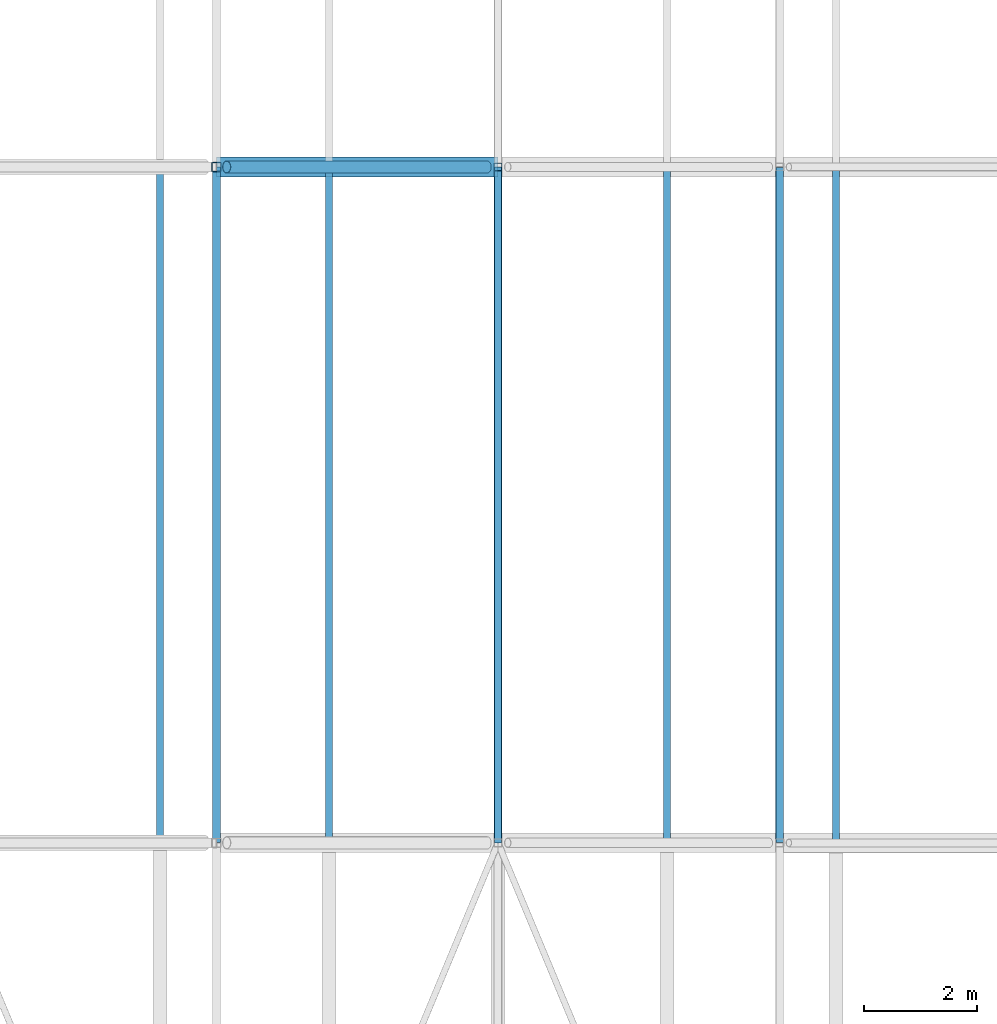
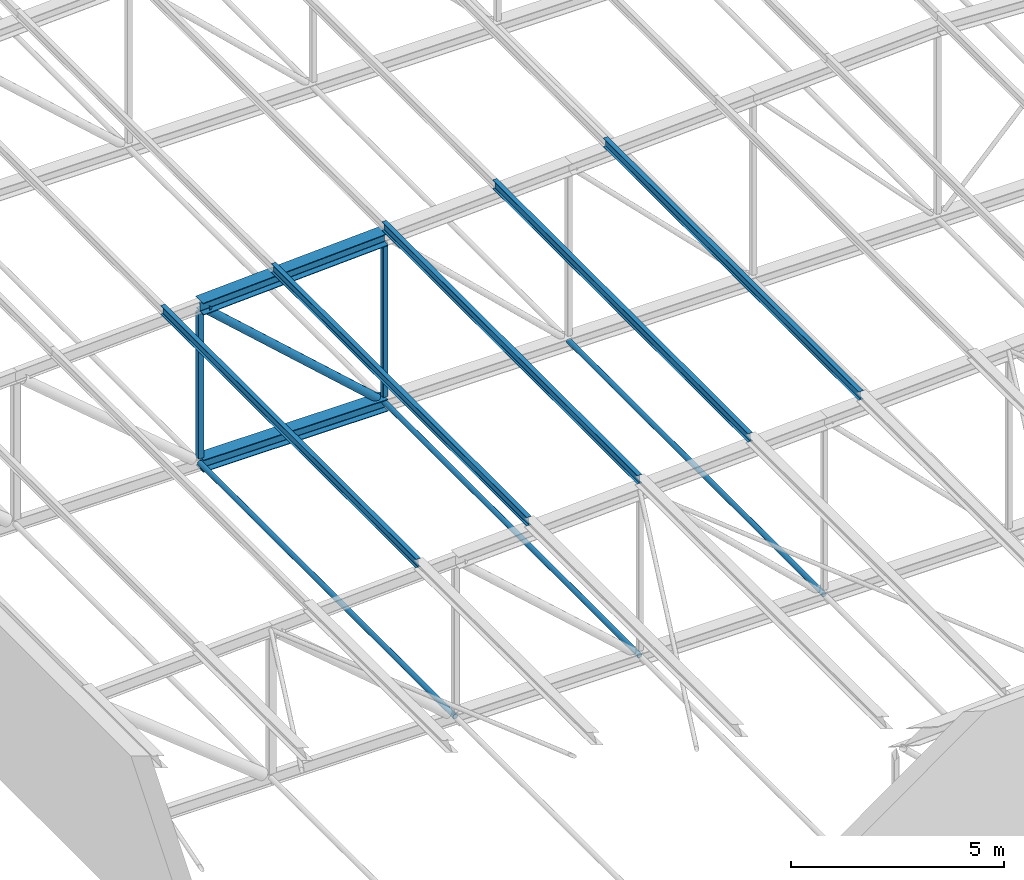
# One storey, part 19 of 156: 13 members.
"""IFC4 building model written with IfcOpenShell, lengths in metres."""

import ifcopenshell
import ifcopenshell.guid

model = None  # the IFC model being written
_history = None  # IfcOwnerHistory: only IFC2X3 demands one
_inside = {}  # id of a spatial element -> (the spatial element, [elements in it])
_under = {}  # id of a project, library or spatial element -> (it, [spatial elements below it])
_declared = {}  # id of a project -> (the project, [libraries it declares])
_typed = {}  # id of a type object -> (the type object, [elements of that type])
_made_of = {}  # id of a material, layer set ... -> (it, [elements and type objects made of it])


def new_model(schema):
    """Start an empty IFC model of exactly this schema.

    Asked for "IFC4X3", IfcOpenShell would pick the latest addendum, in which some entities
    have other attributes; the version numbers below select the first issue.
    IFC2X3 requires an IfcOwnerHistory on every rooted entity: one is made here for all.
    """
    global model, _history
    if schema == "IFC4X3":
        model = ifcopenshell.file(schema_version=(4, 3, 0, 0))
    else:
        model = ifcopenshell.file(schema=schema)
    _inside.clear()
    _under.clear()
    _declared.clear()
    _typed.clear()
    _made_of.clear()
    _history = None
    if model.schema == "IFC2X3":
        org = make("IfcOrganization", Name="unknown")
        user = make(
            "IfcPersonAndOrganization",
            ThePerson=make("IfcPerson", FamilyName="unknown"),
            TheOrganization=org,
        )
        app = make(
            "IfcApplication",
            ApplicationDeveloper=org,
            Version="unknown",
            ApplicationFullName="unknown",
            ApplicationIdentifier="unknown",
        )
        _history = make(
            "IfcOwnerHistory",
            OwningUser=user,
            OwningApplication=app,
            ChangeAction="ADDED",
            CreationDate=0,
        )
    return model


def make(cls, **values):
    """One entity of the class cls with the attributes given. An attribute that is None is left unset."""
    return model.create_entity(
        cls, **{name: value for name, value in values.items() if value is not None}
    )


def rooted(cls, **values):
    """An entity with a GlobalId (a new one), such as an element, a storey or a relation."""
    return make(cls, GlobalId=ifcopenshell.guid.new(), OwnerHistory=_history, **values)


def si_unit(unit_type, name, prefix=None):
    """IfcSIUnit, for example si_unit("LENGTHUNIT", "METRE", prefix="MILLI")."""
    return make("IfcSIUnit", UnitType=unit_type, Prefix=prefix, Name=name)


def assignment(units):
    """IfcUnitAssignment: the units of a project."""
    return None if units is None else make("IfcUnitAssignment", Units=units)


def point(xyz):
    """IfcCartesianPoint."""
    return None if xyz is None else make("IfcCartesianPoint", Coordinates=xyz)


def direction(xyz):
    """IfcDirection."""
    return None if xyz is None else make("IfcDirection", DirectionRatios=xyz)


def frame(location, z_axis=None, x_axis=None):
    """IfcAxis2Placement3D, a coordinate frame: its origin and axes. An axis left out is left unset."""
    return make(
        "IfcAxis2Placement3D",
        Location=point(location),
        Axis=direction(z_axis),
        RefDirection=direction(x_axis),
    )


def frame_2d(location, x_axis=None):
    """IfcAxis2Placement2D, a coordinate frame in the plane: its origin and x axis."""
    return make(
        "IfcAxis2Placement2D", Location=point(location), RefDirection=direction(x_axis)
    )


def origin():
    """The frame at (0, 0, 0) with its axes left unset."""
    return frame((0.0, 0.0, 0.0))


def origin_2d():
    """The frame at (0, 0) in the plane with its x axis left unset."""
    return frame_2d((0.0, 0.0))


def place(relative_to, where):
    """IfcLocalPlacement: puts the frame where relative to a parent placement (None: the world)."""
    return make(
        "IfcLocalPlacement", PlacementRelTo=relative_to, RelativePlacement=where
    )


def context(
    kind, dimensions, precision=None, world=None, true_north=None, identifier=None
):
    """IfcGeometricRepresentationContext, for example the 3D "Model" context."""
    return make(
        "IfcGeometricRepresentationContext",
        ContextIdentifier=identifier,
        ContextType=kind,
        CoordinateSpaceDimension=dimensions,
        Precision=precision,
        WorldCoordinateSystem=world,
        TrueNorth=true_north,
    )


def subcontext(parent, identifier, kind, view, scale=None):
    """IfcGeometricRepresentationSubContext, for example "Body" below "Model"."""
    return make(
        "IfcGeometricRepresentationSubContext",
        ContextIdentifier=identifier,
        ContextType=kind,
        ParentContext=parent,
        TargetScale=scale,
        TargetView=view,
    )


def project(units=None, contexts=None):
    """IfcProject with its units and contexts."""
    return rooted(
        "IfcProject",
        Name="project",
        RepresentationContexts=contexts,
        UnitsInContext=assignment(units),
    )


def spatial(cls, under=None, at=None, **own):
    """A site, building, storey or space (cls), placed at a placement, below another one or the project."""
    s = rooted(cls, ObjectPlacement=at, **own)
    if under is not None:
        _under.setdefault(under.id(), (under, []))[1].append(s)
    return s


def profile(cls, at=None, kind="AREA", **sizes):
    """A parametric profile (cls). Its sizes go by their IFC names, for example OverallWidth=200.0."""
    return make(cls, ProfileType=kind, Position=at, **sizes)


def hollow_rectangle(**sizes):
    """IfcRectangleHollowProfileDef."""
    return profile("IfcRectangleHollowProfileDef", **sizes)


def hollow_circle(**sizes):
    """IfcCircleHollowProfileDef."""
    return profile("IfcCircleHollowProfileDef", **sizes)


def i_section(**sizes):
    """IfcIShapeProfileDef."""
    return profile("IfcIShapeProfileDef", **sizes)


def extrude(swept, where, along, depth):
    """IfcExtrudedAreaSolid: the profile swept, set in the frame where, extruded along a direction by depth."""
    return make(
        "IfcExtrudedAreaSolid",
        SweptArea=swept,
        Position=where,
        ExtrudedDirection=direction(along),
        Depth=depth,
    )


def shape(context_of_items, identifier, shape_type, items):
    """IfcShapeRepresentation: the items that make up one representation, for example the "Body"."""
    return make(
        "IfcShapeRepresentation",
        ContextOfItems=context_of_items,
        RepresentationIdentifier=identifier,
        RepresentationType=shape_type,
        Items=items,
    )


def material(Name=None, Category=None):
    """IfcMaterial."""
    return make("IfcMaterial", Name=Name, Category=Category)


def material_profile(
    of_material, cross_section, Name=None, Category=None, Priority=None
):
    """IfcMaterialProfile: a cross section and its material."""
    return make(
        "IfcMaterialProfile",
        Name=Name,
        Material=of_material,
        Profile=cross_section,
        Priority=Priority,
        Category=Category,
    )


def profile_set(profiles, Name=None, composite=None):
    """IfcMaterialProfileSet."""
    return make(
        "IfcMaterialProfileSet",
        Name=Name,
        MaterialProfiles=profiles,
        CompositeProfile=composite,
    )


def made_of(thing, what):
    """Note that an element or type object is made of a material, layer set ...; save() writes the relation."""
    if what is not None:
        _made_of.setdefault(what.id(), (what, []))[1].append(thing)
    return thing


def type_object(cls, material=None, **own):
    """A type object (cls), such as IfcWallType, which elements share."""
    return made_of(rooted(cls, **own), material)


def element(
    cls,
    number,
    at=None,
    inside=None,
    cuts=None,
    type_object=None,
    material=None,
    context=None,
    identifier="Body",
    shape_type=None,
    held_by="IfcProductDefinitionShape",
    body=None,
    shapes=None,
    **own,
):
    """One element of the class cls, such as IfcWall. Its Tag is "e" and its number.

    at: its placement. inside: the storey or other place that contains it. cuts: it is an
    opening in that element (IfcRelVoidsElement). A single representation is given by context,
    identifier, shape_type and body (its items); several are given by shapes. held_by: the class
    of the entity that holds the representations. save() writes the other relations.
    """
    e = rooted(cls, Tag="e%d" % number, ObjectPlacement=at, **own)
    if body is not None:
        shapes = [shape(context, identifier, shape_type, body)]
    if shapes is not None:
        e.Representation = make(held_by, Representations=shapes)
    if inside is not None:
        _inside.setdefault(inside.id(), (inside, []))[1].append(e)
    if cuts is not None:
        rooted(
            "IfcRelVoidsElement", RelatingBuildingElement=cuts, RelatedOpeningElement=e
        )
    if type_object is not None:
        _typed.setdefault(type_object.id(), (type_object, []))[1].append(e)
    return made_of(e, material)


def aggregate(whole, parts):
    """IfcRelAggregates: a whole, such as a stair, and the parts it consists of."""
    return rooted("IfcRelAggregates", RelatingObject=whole, RelatedObjects=parts)


def save(model, path):
    """Write the relations noted so far, then the file.

    IfcRelAggregates (storeys below a building ...), IfcRelContainedInSpatialStructure (elements
    in a storey), IfcRelDefinesByType, IfcRelAssociatesMaterial and IfcRelDeclares: one each for
    every whole, place, type object, material and project.
    """
    for whole, parts in _under.values():
        aggregate(whole, parts)
    for where, things in _inside.values():
        rooted(
            "IfcRelContainedInSpatialStructure",
            RelatedElements=things,
            RelatingStructure=where,
        )
    for kind, things in _typed.values():
        rooted("IfcRelDefinesByType", RelatedObjects=things, RelatingType=kind)
    for what, things in _made_of.values():
        rooted("IfcRelAssociatesMaterial", RelatedObjects=things, RelatingMaterial=what)
    for by, libraries in _declared.values():
        rooted("IfcRelDeclares", RelatingContext=by, RelatedDefinitions=libraries)
    model.write(path)


model = new_model("IFC4")

# Units and contexts
model_context = context("Model", 3, precision=1e-05, world=origin(), true_north=direction((0.0, 1.0)))
body_context = subcontext(model_context, "Body", "Model", "MODEL_VIEW")
ifc_project = project(units=[si_unit("LENGTHUNIT", "METRE"), si_unit("AREAUNIT", "SQUARE_METRE"), si_unit("VOLUMEUNIT", "CUBIC_METRE"), si_unit("PLANEANGLEUNIT", "RADIAN"), si_unit("MASSUNIT", "GRAM", prefix="KILO")], contexts=[model_context])

# Site, building, storey
site_placement = place(None, origin())
site = spatial("IfcSite", under=ifc_project, at=site_placement, CompositionType="ELEMENT")
building_placement = place(site_placement, origin())
building = spatial("IfcBuilding", under=site, at=building_placement, Name="Lilac Gate Convention Centre", CompositionType="ELEMENT")
storey_placement = place(building_placement, frame((0.0, 0.0, 17.0)))
storey = spatial("IfcBuildingStorey", under=building, at=storey_placement, Name="L03", CompositionType="ELEMENT", Elevation=17.0)

# Members
ifc_material = material(Name="Steel Q355B", Category="steel")
ifc_material_profile_1 = material_profile(ifc_material, hollow_circle(Radius=0.06982421875, WallThickness=0.0048828125, at=origin_2d()), Name="CHS139.7x5")
ifc_profile_set_1 = profile_set([ifc_material_profile_1], Name="Steel Q355B")
member_type_1 = type_object("IfcMemberType", Name="Bottom chord tie CHS139.7x5", PredefinedType="STRUT", material=ifc_profile_set_1)
member_1_placement = place(storey_placement, frame((40.0, 42.00341796875, 0.0), z_axis=(0.0, 1.0, 0.0), x_axis=(-1.0, 0.0, 0.0)))
element("IfcMember", 1, at=member_1_placement, inside=storey, type_object=member_type_1, Name="ST1 tie bay 2 node 3", PredefinedType="STRUT", context=body_context, shape_type="SweptSolid", body=[
    extrude(hollow_circle(Radius=0.06982421875, WallThickness=0.0048828125, at=origin_2d()), origin(), (0.0, 0.0, 1.0), 11.9931640625),
])
for number, where, z_axis, x_axis, name in (
    (2, (45.0, 42.006103515625, 0.0), (0.0, 1.0, 0.0), (-1.0, 0.0, 0.0), "ST1 tie bay 2 node 4"),
    (3, (50.0, 42.006103515625, 0.0), (0.0, 1.0, 0.0), (-1.0, 0.0, 0.0), "ST1 tie bay 2 node 5"),
):
    element("IfcMember", number, at=place(storey_placement, frame(where, z_axis=z_axis, x_axis=x_axis)), inside=storey, type_object=member_type_1, Name=name, PredefinedType="STRUT", context=body_context, shape_type="SweptSolid", body=[
        extrude(hollow_circle(Radius=0.06982421875, WallThickness=0.0048828125, at=origin_2d()), origin(), (0.0, 0.0, 1.0), 11.98779296875),
    ])
ifc_material_profile_2 = material_profile(ifc_material, i_section(OverallWidth=0.125, OverallDepth=0.25, WebThickness=0.006103515625, FlangeThickness=0.009033203125, FilletRadius=0.008056640625, at=origin_2d()), Name="HN250x125x6x9")
ifc_profile_set_2 = profile_set([ifc_material_profile_2], Name="Steel Q355B")
member_type_2 = type_object("IfcMemberType", Name="Roof purlin HN250x125x6x9", PredefinedType="PURLIN", material=ifc_profile_set_2)
for number, where, z_axis, x_axis, name in (
    (4, (39.0, 42.0, 4.750244140625), (0.0, 1.0, 0.0), (-1.0, 0.0, 0.0), "PU2 purlin bay 2 line 4"),
    (5, (42.0, 42.0, 4.900146484375), (0.0, 1.0, 0.0), (-1.0, 0.0, 0.0), "PU2 purlin bay 2 line 5"),
    (6, (45.0, 42.0, 5.05029296875), (0.0, 1.0, 0.0), (-1.0, 0.0, 0.0), "PU2 purlin bay 2 line 6"),
    (7, (48.0, 42.0, 5.2001953125), (0.0, 1.0, 0.0), (-1.0, 0.0, 0.0), "PU2 purlin bay 2 line 7"),
    (8, (51.0, 42.0, 5.35009765625), (0.0, 1.0, 0.0), (-1.0, 0.0, 0.0), "PU2 purlin bay 2 line 8"),
):
    element("IfcMember", number, at=place(storey_placement, frame(where, z_axis=z_axis, x_axis=x_axis)), inside=storey, type_object=member_type_2, Name=name, PredefinedType="PURLIN", context=body_context, shape_type="SweptSolid", body=[
        extrude(i_section(OverallWidth=0.125, OverallDepth=0.25, WebThickness=0.006103515625, FlangeThickness=0.009033203125, FilletRadius=0.008056640625, at=origin_2d()), origin(), (0.0, 0.0, 1.0), 12.0),
    ])
ifc_material_profile_3 = material_profile(ifc_material, i_section(OverallWidth=0.35009765625, OverallDepth=0.35009765625, WebThickness=0.011962890625, FlangeThickness=0.01904296875, FilletRadius=0.012939453125, at=origin_2d()), Name="HW350x350x12x19")
ifc_profile_set_3 = profile_set([ifc_material_profile_3], Name="Steel Q355B")
member_type_3 = type_object("IfcMemberType", Name="Truss bottom chord HW350x350x12x19", PredefinedType="CHORD", material=ifc_profile_set_3)
member_2_placement = place(storey_placement, frame((40.0, 54.0, 0.0), z_axis=(1.0, 0.0, 0.0), x_axis=(0.0, 1.0, 0.0)))
element("IfcMember", 9, at=member_2_placement, inside=storey, type_object=member_type_3, Name="TB2 truss 3 bottom chord 3", PredefinedType="CHORD", context=body_context, shape_type="SweptSolid", body=[
    extrude(i_section(OverallWidth=0.35009765625, OverallDepth=0.35009765625, WebThickness=0.011962890625, FlangeThickness=0.01904296875, FilletRadius=0.012939453125, at=origin_2d()), origin(), (0.0, 0.0, 1.0), 5.0),
])
ifc_material_profile_4 = material_profile(ifc_material, hollow_circle(Radius=0.109619140625, WallThickness=0.008056640625, at=origin_2d()), Name="CHS219.1x8")
ifc_profile_set_4 = profile_set([ifc_material_profile_4], Name="Steel Q355B")
member_type_4 = type_object("IfcMemberType", Name="Truss diagonal CHS219.1x8", PredefinedType="BRACE", material=ifc_profile_set_4)
member_3_placement = place(storey_placement, frame((40.1826171875, 54.0, 4.335693359375), z_axis=(0.743301953498, 0.0, -0.668956056797), x_axis=(0.0, 1.0, 0.0)))
element("IfcMember", 10, at=member_3_placement, inside=storey, type_object=member_type_4, Name="TW3 truss 3 diagonal 3", PredefinedType="BRACE", context=body_context, shape_type="SweptSolid", body=[
    extrude(hollow_circle(Radius=0.109619140625, WallThickness=0.008056640625, at=origin_2d()), origin(), (0.0, 0.0, 1.0), 6.2197265625),
])
ifc_material_profile_5 = material_profile(ifc_material, i_section(OverallWidth=0.35009765625, OverallDepth=0.35009765625, WebThickness=0.011962890625, FlangeThickness=0.01904296875, FilletRadius=0.012939453125, at=origin_2d()), Name="HW350x350x12x19")
ifc_profile_set_5 = profile_set([ifc_material_profile_5], Name="Steel Q355B")
member_type_5 = type_object("IfcMemberType", Name="Truss top chord HW350x350x12x19", PredefinedType="CHORD", material=ifc_profile_set_5)
member_4_placement = place(storey_placement, frame((40.0, 54.0, 4.5), z_axis=(0.998752338878, 0.0, 0.049937616944), x_axis=(0.0, 1.0, 0.0)))
element("IfcMember", 11, at=member_4_placement, inside=storey, type_object=member_type_5, Name="TT2 truss 3 top chord 3", PredefinedType="CHORD", context=body_context, shape_type="SweptSolid", body=[
    extrude(i_section(OverallWidth=0.35009765625, OverallDepth=0.35009765625, WebThickness=0.011962890625, FlangeThickness=0.01904296875, FilletRadius=0.012939453125, at=origin_2d()), origin(), (0.0, 0.0, 1.0), 5.00634765625),
])
ifc_material_profile_6 = material_profile(ifc_material, hollow_rectangle(XDim=0.139892578125, YDim=0.139892578125, WallThickness=0.0048828125, InnerFilletRadius=0.0048828125, OuterFilletRadius=0.010009765625, at=origin_2d()), Name="SHS140x140x5")
ifc_profile_set_6 = profile_set([ifc_material_profile_6], Name="Steel Q355B")
member_type_6 = type_object("IfcMemberType", Name="Truss vertical SHS140x140x5", PredefinedType="STRUT", material=ifc_profile_set_6)
member_5_placement = place(storey_placement, frame((45.0, 54.0, 0.175048828125), z_axis=(0.0, 0.0, 1.0), x_axis=(1.0, 0.0, 0.0)))
element("IfcMember", 12, at=member_5_placement, inside=storey, type_object=member_type_6, Name="TV4 truss 3 vertical 4", PredefinedType="STRUT", context=body_context, shape_type="SweptSolid", body=[
    extrude(hollow_rectangle(XDim=0.139892578125, YDim=0.139892578125, WallThickness=0.0048828125, InnerFilletRadius=0.0048828125, OuterFilletRadius=0.010009765625, at=origin_2d()), origin(), (0.0, 0.0, 1.0), 4.399658203125),
])
ifc_material_profile_7 = material_profile(ifc_material, hollow_rectangle(XDim=0.159912109375, YDim=0.159912109375, WallThickness=0.006103515625, InnerFilletRadius=0.006103515625, OuterFilletRadius=0.011962890625, at=origin_2d()), Name="SHS160x160x6")
ifc_profile_set_7 = profile_set([ifc_material_profile_7], Name="Steel Q355B")
member_type_7 = type_object("IfcMemberType", Name="Truss vertical SHS160x160x6", PredefinedType="STRUT", material=ifc_profile_set_7)
member_6_placement = place(storey_placement, frame((40.0, 54.0, 0.175048828125), z_axis=(0.0, 0.0, 1.0), x_axis=(1.0, 0.0, 0.0)))
element("IfcMember", 13, at=member_6_placement, inside=storey, type_object=member_type_7, Name="TV3 truss 3 vertical 3", PredefinedType="STRUT", context=body_context, shape_type="SweptSolid", body=[
    extrude(hollow_rectangle(XDim=0.159912109375, YDim=0.159912109375, WallThickness=0.006103515625, InnerFilletRadius=0.006103515625, OuterFilletRadius=0.011962890625, at=origin_2d()), origin(), (0.0, 0.0, 1.0), 4.149658203125),
])

save(model, "model.ifc")
